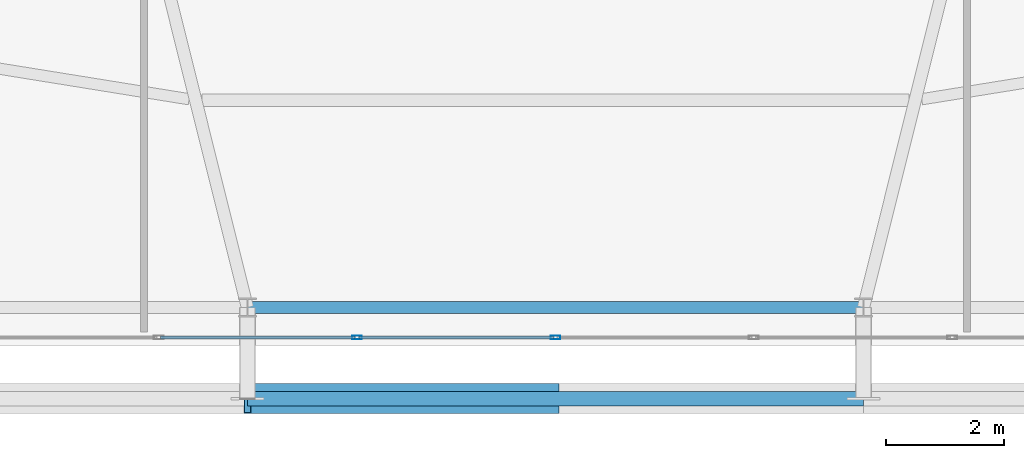
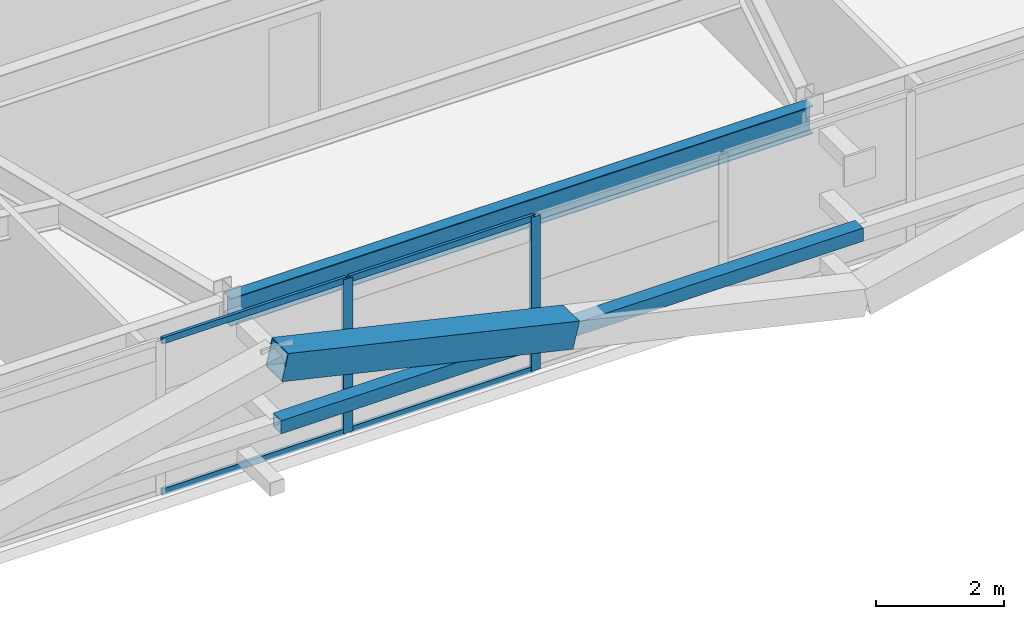
# One storey, part 12 of 59: 8 members, 1 beam, 1 element without a shape of its own.
"""IFC4 building model written with IfcOpenShell, lengths in metres."""

import ifcopenshell
import ifcopenshell.guid

model = None  # the IFC model being written
_history = None  # IfcOwnerHistory: only IFC2X3 demands one
_inside = {}  # id of a spatial element -> (the spatial element, [elements in it])
_under = {}  # id of a project, library or spatial element -> (it, [spatial elements below it])
_declared = {}  # id of a project -> (the project, [libraries it declares])
_typed = {}  # id of a type object -> (the type object, [elements of that type])
_made_of = {}  # id of a material, layer set ... -> (it, [elements and type objects made of it])


def new_model(schema):
    """Start an empty IFC model of exactly this schema.

    Asked for "IFC4X3", IfcOpenShell would pick the latest addendum, in which some entities
    have other attributes; the version numbers below select the first issue.
    IFC2X3 requires an IfcOwnerHistory on every rooted entity: one is made here for all.
    """
    global model, _history
    if schema == "IFC4X3":
        model = ifcopenshell.file(schema_version=(4, 3, 0, 0))
    else:
        model = ifcopenshell.file(schema=schema)
    _inside.clear()
    _under.clear()
    _declared.clear()
    _typed.clear()
    _made_of.clear()
    _history = None
    if model.schema == "IFC2X3":
        org = make("IfcOrganization", Name="unknown")
        user = make(
            "IfcPersonAndOrganization",
            ThePerson=make("IfcPerson", FamilyName="unknown"),
            TheOrganization=org,
        )
        app = make(
            "IfcApplication",
            ApplicationDeveloper=org,
            Version="unknown",
            ApplicationFullName="unknown",
            ApplicationIdentifier="unknown",
        )
        _history = make(
            "IfcOwnerHistory",
            OwningUser=user,
            OwningApplication=app,
            ChangeAction="ADDED",
            CreationDate=0,
        )
    return model


def make(cls, **values):
    """One entity of the class cls with the attributes given. An attribute that is None is left unset."""
    return model.create_entity(
        cls, **{name: value for name, value in values.items() if value is not None}
    )


def rooted(cls, **values):
    """An entity with a GlobalId (a new one), such as an element, a storey or a relation."""
    return make(cls, GlobalId=ifcopenshell.guid.new(), OwnerHistory=_history, **values)


def si_unit(unit_type, name, prefix=None):
    """IfcSIUnit, for example si_unit("LENGTHUNIT", "METRE", prefix="MILLI")."""
    return make("IfcSIUnit", UnitType=unit_type, Prefix=prefix, Name=name)


def assignment(units):
    """IfcUnitAssignment: the units of a project."""
    return None if units is None else make("IfcUnitAssignment", Units=units)


def point(xyz):
    """IfcCartesianPoint."""
    return None if xyz is None else make("IfcCartesianPoint", Coordinates=xyz)


def direction(xyz):
    """IfcDirection."""
    return None if xyz is None else make("IfcDirection", DirectionRatios=xyz)


def frame(location, z_axis=None, x_axis=None):
    """IfcAxis2Placement3D, a coordinate frame: its origin and axes. An axis left out is left unset."""
    return make(
        "IfcAxis2Placement3D",
        Location=point(location),
        Axis=direction(z_axis),
        RefDirection=direction(x_axis),
    )


def frame_2d(location, x_axis=None):
    """IfcAxis2Placement2D, a coordinate frame in the plane: its origin and x axis."""
    return make(
        "IfcAxis2Placement2D", Location=point(location), RefDirection=direction(x_axis)
    )


def origin():
    """The frame at (0, 0, 0) with its axes left unset."""
    return frame((0.0, 0.0, 0.0))


def origin_2d():
    """The frame at (0, 0) in the plane with its x axis left unset."""
    return frame_2d((0.0, 0.0))


def place(relative_to, where):
    """IfcLocalPlacement: puts the frame where relative to a parent placement (None: the world)."""
    return make(
        "IfcLocalPlacement", PlacementRelTo=relative_to, RelativePlacement=where
    )


def context(
    kind, dimensions, precision=None, world=None, true_north=None, identifier=None
):
    """IfcGeometricRepresentationContext, for example the 3D "Model" context."""
    return make(
        "IfcGeometricRepresentationContext",
        ContextIdentifier=identifier,
        ContextType=kind,
        CoordinateSpaceDimension=dimensions,
        Precision=precision,
        WorldCoordinateSystem=world,
        TrueNorth=true_north,
    )


def subcontext(parent, identifier, kind, view, scale=None):
    """IfcGeometricRepresentationSubContext, for example "Body" below "Model"."""
    return make(
        "IfcGeometricRepresentationSubContext",
        ContextIdentifier=identifier,
        ContextType=kind,
        ParentContext=parent,
        TargetScale=scale,
        TargetView=view,
    )


def project(units=None, contexts=None):
    """IfcProject with its units and contexts."""
    return rooted(
        "IfcProject",
        Name="project",
        RepresentationContexts=contexts,
        UnitsInContext=assignment(units),
    )


def spatial(cls, under=None, at=None, **own):
    """A site, building, storey or space (cls), placed at a placement, below another one or the project."""
    s = rooted(cls, ObjectPlacement=at, **own)
    if under is not None:
        _under.setdefault(under.id(), (under, []))[1].append(s)
    return s


def profile(cls, at=None, kind="AREA", **sizes):
    """A parametric profile (cls). Its sizes go by their IFC names, for example OverallWidth=200.0."""
    return make(cls, ProfileType=kind, Position=at, **sizes)


def hollow_rectangle(**sizes):
    """IfcRectangleHollowProfileDef."""
    return profile("IfcRectangleHollowProfileDef", **sizes)


def i_section(**sizes):
    """IfcIShapeProfileDef."""
    return profile("IfcIShapeProfileDef", **sizes)


def extrude(swept, where, along, depth):
    """IfcExtrudedAreaSolid: the profile swept, set in the frame where, extruded along a direction by depth."""
    return make(
        "IfcExtrudedAreaSolid",
        SweptArea=swept,
        Position=where,
        ExtrudedDirection=direction(along),
        Depth=depth,
    )


def shape(context_of_items, identifier, shape_type, items):
    """IfcShapeRepresentation: the items that make up one representation, for example the "Body"."""
    return make(
        "IfcShapeRepresentation",
        ContextOfItems=context_of_items,
        RepresentationIdentifier=identifier,
        RepresentationType=shape_type,
        Items=items,
    )


def source(mapping_origin, context_of_items, identifier, shape_type, items):
    """IfcRepresentationMap: a shape defined once, which mapped items show again and again."""
    return make(
        "IfcRepresentationMap",
        MappingOrigin=mapping_origin,
        MappedRepresentation=shape(context_of_items, identifier, shape_type, items),
    )


def transform(
    local_origin,
    x_axis=None,
    y_axis=None,
    z_axis=None,
    scale=None,
    scale2=None,
    scale3=None,
    uniform=True,
):
    """IfcCartesianTransformationOperator3D, or its non-uniform kind. x_axis, y_axis, z_axis: its Axis1, 2, 3."""
    if uniform:
        return make(
            "IfcCartesianTransformationOperator3D",
            Axis1=direction(x_axis),
            Axis2=direction(y_axis),
            LocalOrigin=point(local_origin),
            Scale=scale,
            Axis3=direction(z_axis),
        )
    return make(
        "IfcCartesianTransformationOperator3DnonUniform",
        Axis1=direction(x_axis),
        Axis2=direction(y_axis),
        LocalOrigin=point(local_origin),
        Scale=scale,
        Axis3=direction(z_axis),
        Scale2=scale2,
        Scale3=scale3,
    )


def mapped(mapping_source, mapping_target):
    """IfcMappedItem: shows the shape of a source again, moved by a transform."""
    return make(
        "IfcMappedItem", MappingSource=mapping_source, MappingTarget=mapping_target
    )


def material(Name=None, Category=None):
    """IfcMaterial."""
    return make("IfcMaterial", Name=Name, Category=Category)


def layer(
    of_material, thickness, ventilated=None, Name=None, Category=None, Priority=None
):
    """IfcMaterialLayer: one layer of a wall or slab, of a material (None: an air gap)."""
    return make(
        "IfcMaterialLayer",
        Material=of_material,
        LayerThickness=thickness,
        IsVentilated=ventilated,
        Name=Name,
        Category=Category,
        Priority=Priority,
    )


def layer_set(layers, Name=None):
    """IfcMaterialLayerSet."""
    return make("IfcMaterialLayerSet", MaterialLayers=layers, LayerSetName=Name)


def material_profile(
    of_material, cross_section, Name=None, Category=None, Priority=None
):
    """IfcMaterialProfile: a cross section and its material."""
    return make(
        "IfcMaterialProfile",
        Name=Name,
        Material=of_material,
        Profile=cross_section,
        Priority=Priority,
        Category=Category,
    )


def profile_set(profiles, Name=None, composite=None):
    """IfcMaterialProfileSet."""
    return make(
        "IfcMaterialProfileSet",
        Name=Name,
        MaterialProfiles=profiles,
        CompositeProfile=composite,
    )


def made_of(thing, what):
    """Note that an element or type object is made of a material, layer set ...; save() writes the relation."""
    if what is not None:
        _made_of.setdefault(what.id(), (what, []))[1].append(thing)
    return thing


def type_object(cls, material=None, **own):
    """A type object (cls), such as IfcWallType, which elements share."""
    return made_of(rooted(cls, **own), material)


def element(
    cls,
    number,
    at=None,
    inside=None,
    cuts=None,
    type_object=None,
    material=None,
    context=None,
    identifier="Body",
    shape_type=None,
    held_by="IfcProductDefinitionShape",
    body=None,
    shapes=None,
    **own,
):
    """One element of the class cls, such as IfcWall. Its Tag is "e" and its number.

    at: its placement. inside: the storey or other place that contains it. cuts: it is an
    opening in that element (IfcRelVoidsElement). A single representation is given by context,
    identifier, shape_type and body (its items); several are given by shapes. held_by: the class
    of the entity that holds the representations. save() writes the other relations.
    """
    e = rooted(cls, Tag="e%d" % number, ObjectPlacement=at, **own)
    if body is not None:
        shapes = [shape(context, identifier, shape_type, body)]
    if shapes is not None:
        e.Representation = make(held_by, Representations=shapes)
    if inside is not None:
        _inside.setdefault(inside.id(), (inside, []))[1].append(e)
    if cuts is not None:
        rooted(
            "IfcRelVoidsElement", RelatingBuildingElement=cuts, RelatedOpeningElement=e
        )
    if type_object is not None:
        _typed.setdefault(type_object.id(), (type_object, []))[1].append(e)
    return made_of(e, material)


def aggregate(whole, parts):
    """IfcRelAggregates: a whole, such as a stair, and the parts it consists of."""
    return rooted("IfcRelAggregates", RelatingObject=whole, RelatedObjects=parts)


def save(model, path):
    """Write the relations noted so far, then the file.

    IfcRelAggregates (storeys below a building ...), IfcRelContainedInSpatialStructure (elements
    in a storey), IfcRelDefinesByType, IfcRelAssociatesMaterial and IfcRelDeclares: one each for
    every whole, place, type object, material and project.
    """
    for whole, parts in _under.values():
        aggregate(whole, parts)
    for where, things in _inside.values():
        rooted(
            "IfcRelContainedInSpatialStructure",
            RelatedElements=things,
            RelatingStructure=where,
        )
    for kind, things in _typed.values():
        rooted("IfcRelDefinesByType", RelatedObjects=things, RelatingType=kind)
    for what, things in _made_of.values():
        rooted("IfcRelAssociatesMaterial", RelatedObjects=things, RelatingMaterial=what)
    for by, libraries in _declared.values():
        rooted("IfcRelDeclares", RelatingContext=by, RelatedDefinitions=libraries)
    model.write(path)


model = new_model("IFC4")

# Units and contexts
model_context = context("Model", 3, precision=1e-05, world=origin(), true_north=direction((0.0, 1.0)))
body_context = subcontext(model_context, "Body", "Model", "MODEL_VIEW")
ifc_project = project(units=[si_unit("LENGTHUNIT", "METRE"), si_unit("AREAUNIT", "SQUARE_METRE"), si_unit("VOLUMEUNIT", "CUBIC_METRE"), si_unit("PLANEANGLEUNIT", "RADIAN"), si_unit("MASSUNIT", "GRAM", prefix="KILO")], contexts=[model_context])

# Site, building, storey
site_placement = place(None, origin())
site = spatial("IfcSite", under=ifc_project, at=site_placement, CompositionType="ELEMENT")
building_placement = place(site_placement, origin())
building = spatial("IfcBuilding", under=site, at=building_placement, Name="Taldren Reach Tower", CompositionType="ELEMENT")
storey_placement = place(building_placement, frame((0.0, 0.0, 26.25)))
storey = spatial("IfcBuildingStorey", under=building, at=storey_placement, Name="L07", CompositionType="ELEMENT", Elevation=26.25)

# Beam
ifc_material_1 = material(Name="Steel Gr 350 (350PLUS)", Category="steel")
ifc_material_profile_1 = material_profile(ifc_material_1, i_section(OverallWidth=0.208984375, OverallDepth=0.528076171875, WebThickness=0.009521484375, FlangeThickness=0.01318359375, at=origin_2d()), Name="530UB82.0")
ifc_profile_set_1 = profile_set([ifc_material_profile_1], Name="Steel Gr 350 (350PLUS)")
beam_type = type_object("IfcBeamType", Name="SP-UB530B", PredefinedType="SPANDREL", material=ifc_profile_set_1)
shared_shape_1 = source(origin(), body_context, "Body", "SweptSolid", [
    extrude(i_section(OverallWidth=0.208984375, OverallDepth=0.528076171875, WebThickness=0.009521484375, FlangeThickness=0.01318359375, at=origin_2d()), origin(), (0.0, 0.0, 1.0), 10.47998046875),
])
beam_placement = place(storey_placement, frame((29.760009765625, 2.14990234375, 2.666015625), z_axis=(1.0, 0.0, 0.0), x_axis=(0.0, 1.0, 0.0)))
element("IfcBeam", 1, at=beam_placement, inside=storey, type_object=beam_type, Name="Perimeter spandrel B1 S3-S4 L07", PredefinedType="SPANDREL", context=body_context, shape_type="MappedRepresentation", body=[
    mapped(shared_shape_1, transform((0.0, 0.0, 0.0), scale=1.0)),
])

# Members
ifc_material_2 = material(Name="Steel Gr 450 (C450L0)", Category="steel")
ifc_material_profile_2 = material_profile(ifc_material_2, hollow_rectangle(XDim=0.510009765625, YDim=0.510009765625, WallThickness=0.02001953125, at=origin_2d()), Name="510x510x20.0SHS")
ifc_profile_set_2 = profile_set([ifc_material_profile_2], Name="Steel Gr 450 (C450L0)")
member_type_1 = type_object("IfcMemberType", Name="MB-EXO508", PredefinedType="BRACE", material=ifc_profile_set_2)
shared_shape_2 = source(origin(), body_context, "Body", "SweptSolid", [
    extrude(hollow_rectangle(XDim=0.510009765625, YDim=0.510009765625, WallThickness=0.02001953125, at=origin_2d()), origin(), (0.0, 0.0, 1.0), 5.37890625),
])
member_1_placement = place(storey_placement, frame((35.0, 0.60009765625, 1.43505859375), z_axis=(-0.974161966843, 0.0, 0.225850531007), x_axis=(0.0, -1.0, 0.0)))
element("IfcMember", 2, at=member_1_placement, inside=storey, type_object=member_type_1, Name="Exoskeleton Diagrid Brace B1-S3 L07", PredefinedType="BRACE", context=body_context, shape_type="MappedRepresentation", body=[
    mapped(shared_shape_2, transform((0.0, 0.0, 0.0), scale=1.0)),
])
ifc_material_3 = material(Name="Steel Gr 350 (C350L0)", Category="steel")
ifc_material_profile_3 = material_profile(ifc_material_3, hollow_rectangle(XDim=0.25, YDim=0.25, WallThickness=0.010009765625, at=origin_2d()), Name="250x250x10.0SHS")
ifc_profile_set_3 = profile_set([ifc_material_profile_3], Name="Steel Gr 350 (C350L0)")
member_type_2 = type_object("IfcMemberType", Name="MB-POST250", PredefinedType="POST", material=ifc_profile_set_3)
shared_shape_3 = source(origin(), body_context, "Body", "SweptSolid", [
    extrude(hollow_rectangle(XDim=0.25, YDim=0.25, WallThickness=0.010009765625, at=origin_2d()), origin(), (0.0, 0.0, 1.0), 10.47998046875),
])
member_2_placement = place(storey_placement, frame((29.760009765625, 0.60009765625, 1.43505859375), z_axis=(1.0, 0.0, 0.0), x_axis=(0.0, 1.0, 0.0)))
element("IfcMember", 3, at=member_2_placement, inside=storey, type_object=member_type_2, Name="Exoskeleton mid-height ring chord B1-S3 L07", PredefinedType="POST", context=body_context, shape_type="MappedRepresentation", body=[
    mapped(shared_shape_3, transform((0.0, 0.0, 0.0), scale=1.0)),
])

# Curtain wall, members
ifc_material_4 = material(Name="Aluminium and Low-E Glass Unitised System", Category="aluminium")
ifc_layer = layer(ifc_material_4, 0.159912109375)
ifc_layer_set = layer_set([ifc_layer], Name="Aluminium and Low-E Glass Unitised System")
curtain_wall_type = type_object("IfcCurtainWallType", Name="CW-SYS-2", PredefinedType="NOTDEFINED", material=ifc_layer_set)
curtain_wall_placement = place(storey_placement, origin())
curtain_wall = element("IfcCurtainWall", 4, at=curtain_wall_placement, inside=storey, type_object=curtain_wall_type, Name="Unitised curtain wall CW-L07-S", PredefinedType="NOTDEFINED")
ifc_material_5 = material(Name="Anodised Aluminium 6063-T6", Category="aluminium")
ifc_material_profile_4 = material_profile(ifc_material_5, hollow_rectangle(XDim=0.06494140625, YDim=0.1650390625, WallThickness=0.00390625, at=origin_2d()), Name="ALU-165x65x4RHS")
ifc_profile_set_4 = profile_set([ifc_material_profile_4], Name="Anodised Aluminium 6063-T6")
member_type_3 = type_object("IfcMemberType", Name="CW-MUL-165", PredefinedType="MULLION", material=ifc_profile_set_4)
shared_shape_4 = source(origin(), body_context, "Body", "SweptSolid", [
    extrude(hollow_rectangle(XDim=0.06494140625, YDim=0.1650390625, WallThickness=0.00390625, at=origin_2d()), origin(), (0.0, 0.0, 1.0), 2.929931640625),
])
member_3_placement = place(storey_placement, frame((31.625, 1.639892578125, 0.0), z_axis=(0.0, 0.0, 1.0), x_axis=(0.0, 1.0, 0.0)))
member_3 = element("IfcMember", 5, at=member_3_placement, type_object=member_type_3, Name="CW-2 mullion 8", PredefinedType="MULLION", context=body_context, shape_type="MappedRepresentation", body=[
    mapped(shared_shape_4, transform((0.0, 0.0, 0.0), scale=1.0)),
])
member_4_placement = place(storey_placement, frame((35.0, 1.639892578125, 0.0), z_axis=(0.0, 0.0, 1.0), x_axis=(0.0, 1.0, 0.0)))
member_4 = element("IfcMember", 6, at=member_4_placement, type_object=member_type_3, Name="CW-2 mullion 9", PredefinedType="MULLION", context=body_context, shape_type="MappedRepresentation", body=[
    mapped(shared_shape_4, transform((0.0, 0.0, 0.0), scale=1.0)),
])
ifc_material_profile_5 = material_profile(ifc_material_5, hollow_rectangle(XDim=0.054931640625, YDim=0.1201171875, WallThickness=0.0029296875, at=origin_2d()), Name="ALU-120x55x3RHS")
ifc_profile_set_5 = profile_set([ifc_material_profile_5], Name="Anodised Aluminium 6063-T6")
member_type_4 = type_object("IfcMemberType", Name="CW-TRN-135", PredefinedType="USERDEFINED", material=ifc_profile_set_5)
shared_shape_5 = source(origin(), body_context, "Body", "SweptSolid", [
    extrude(hollow_rectangle(XDim=0.054931640625, YDim=0.1201171875, WallThickness=0.0029296875, at=origin_2d()), origin(), (0.0, 0.0, 1.0), 3.31005859375),
])
member_5_placement = place(storey_placement, frame((28.282470703125, 1.639892578125, 0.027587890625), z_axis=(1.0, 0.0, 0.0), x_axis=(0.0, 1.0, 0.0)))
member_5 = element("IfcMember", 7, at=member_5_placement, type_object=member_type_4, Name="CW-2 transom 7.1", ObjectType="TRANSOM", PredefinedType="USERDEFINED", context=body_context, shape_type="MappedRepresentation", body=[
    mapped(shared_shape_5, transform((0.0, 0.0, 0.0), scale=1.0)),
])
member_6_placement = place(storey_placement, frame((28.282470703125, 1.639892578125, 2.902587890625), z_axis=(1.0, 0.0, 0.0), x_axis=(0.0, 1.0, 0.0)))
member_6 = element("IfcMember", 8, at=member_6_placement, type_object=member_type_4, Name="CW-2 transom 7.2", ObjectType="TRANSOM", PredefinedType="USERDEFINED", context=body_context, shape_type="MappedRepresentation", body=[
    mapped(shared_shape_5, transform((0.0, 0.0, 0.0), scale=1.0)),
])
member_7_placement = place(storey_placement, frame((31.657470703125, 1.639892578125, 0.027587890625), z_axis=(1.0, 0.0, 0.0), x_axis=(0.0, 1.0, 0.0)))
member_7 = element("IfcMember", 9, at=member_7_placement, type_object=member_type_4, Name="CW-2 transom 8.1", ObjectType="TRANSOM", PredefinedType="USERDEFINED", context=body_context, shape_type="MappedRepresentation", body=[
    mapped(shared_shape_5, transform((0.0, 0.0, 0.0), scale=1.0)),
])
member_8_placement = place(storey_placement, frame((31.657470703125, 1.639892578125, 2.902587890625), z_axis=(1.0, 0.0, 0.0), x_axis=(0.0, 1.0, 0.0)))
member_8 = element("IfcMember", 10, at=member_8_placement, type_object=member_type_4, Name="CW-2 transom 8.2", ObjectType="TRANSOM", PredefinedType="USERDEFINED", context=body_context, shape_type="MappedRepresentation", body=[
    mapped(shared_shape_5, transform((0.0, 0.0, 0.0), scale=1.0)),
])
aggregate(curtain_wall, [member_3, member_4, member_5, member_6, member_7, member_8])

save(model, "model.ifc")
